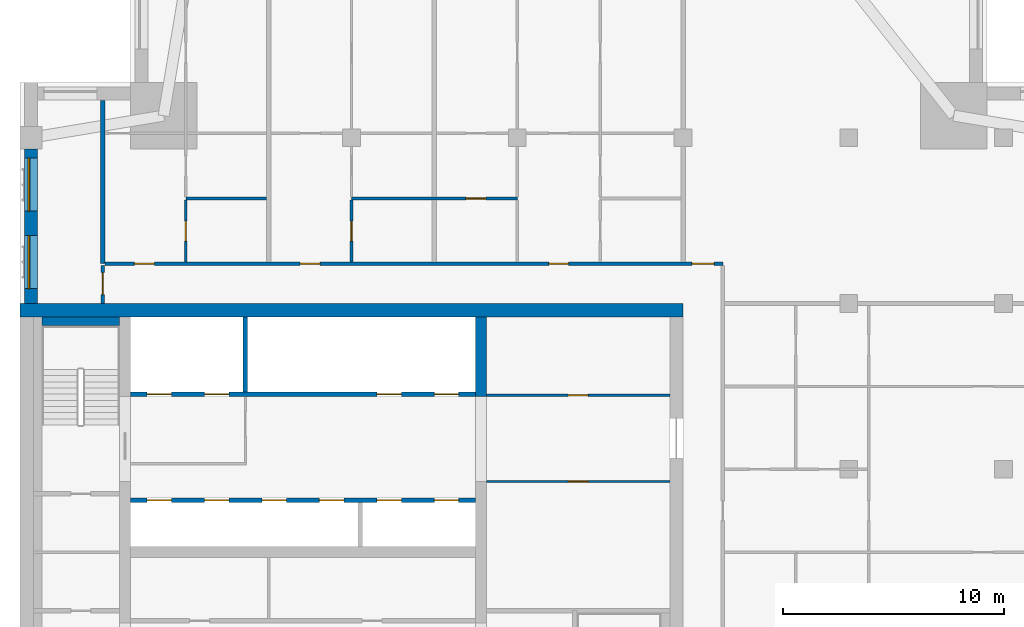
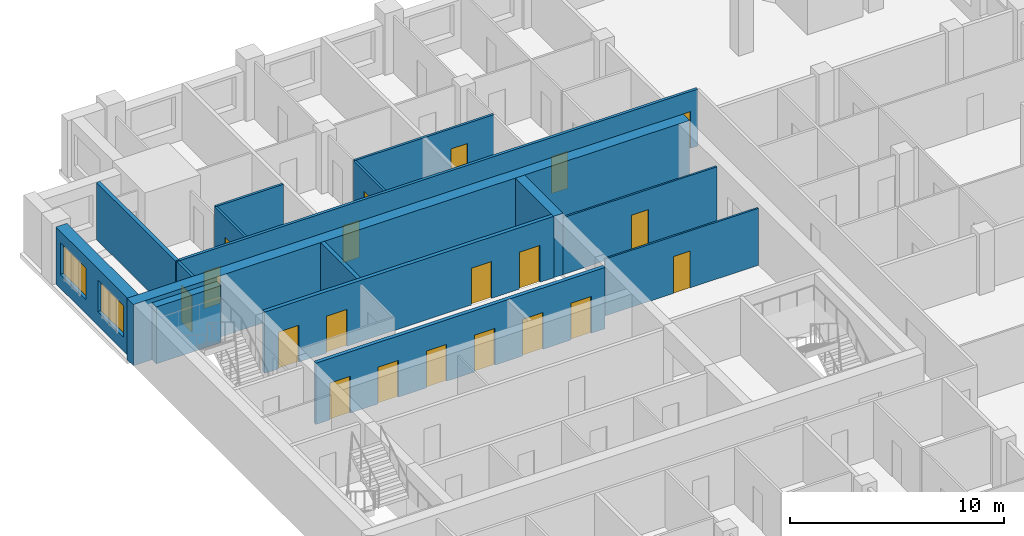
# One storey, part 6 of 11: 20 doors, 16 walls, 2 windows, 22 openings.
"""IFC4 building model written with IfcOpenShell, lengths in metres."""

from ifc_helpers import new_model, si_unit, direction, frame, frame_2d, origin, place, context, subcontext, project, spatial, rectangle, extrude, material, layer, layer_set, type_object, element, fill, save


model = new_model("IFC4")

# Units and contexts
model_context = context("Model", 3, precision=1e-05, world=origin(), true_north=direction((0.0, 1.0)))
body_context = subcontext(model_context, "Body", "Model", "MODEL_VIEW")
ifc_project = project(units=[si_unit("LENGTHUNIT", "METRE"), si_unit("AREAUNIT", "SQUARE_METRE"), si_unit("VOLUMEUNIT", "CUBIC_METRE"), si_unit("PLANEANGLEUNIT", "RADIAN"), si_unit("MASSUNIT", "GRAM", prefix="KILO")], contexts=[model_context])

# Site, building, storey
site_placement = place(None, origin())
site = spatial("IfcSite", under=ifc_project, at=site_placement, CompositionType="ELEMENT")
building_placement = place(site_placement, origin())
building = spatial("IfcBuilding", under=site, at=building_placement, Name="Tamorin Gate", CompositionType="ELEMENT")
storey_placement = place(building_placement, frame((0.0, 0.0, 230.199951171875)))
storey = spatial("IfcBuildingStorey", under=building, at=storey_placement, Name="L57", CompositionType="ELEMENT", Elevation=230.199951171875)

# Wall, openings, windows
ifc_material_1 = material(Name="Precast concrete C40/50", Category="concrete")
ifc_layer_1 = layer(ifc_material_1, 0.60009765625)
ifc_layer_set_1 = layer_set([ifc_layer_1], Name="Precast concrete C40/50")
wall_type_1 = type_object("IfcWallType", Name="Board-marked concrete facade panel 600", PredefinedType="SOLIDWALL", material=ifc_layer_set_1)
wall_1_placement = place(storey_placement, frame((30.5, 89.5, 0.0), z_axis=(0.0, 0.0, 1.0), x_axis=(0.0, -1.0, 0.0)))
wall_1 = element("IfcWall", 1, at=wall_1_placement, inside=storey, type_object=wall_type_1, Name="Facade panel", PredefinedType="SOLIDWALL", context=body_context, shape_type="SweptSolid", body=[
    extrude(rectangle(XDim=7.0, YDim=0.60009765625, at=frame_2d((3.5, 0.0))), origin(), (0.0, 0.0, 1.0), 3.25),
])
opening_1_placement = place(wall_1_placement, frame((3.925048828125, 0.0, 0.800048828125)))
opening_1 = element("IfcOpeningElement", 2, at=opening_1_placement, cuts=wall_1, Name="Opening WN1", PredefinedType="OPENING", context=body_context, shape_type="SweptSolid", body=[
    extrude(rectangle(XDim=2.39990234375, YDim=1.800048828125, at=frame_2d((1.199951171875, 0.89990234375))), frame((0.0, 0.31005859375, 0.0), z_axis=(0.0, -1.0, 0.0), x_axis=(1.0, 0.0, 0.0)), (0.0, 0.0, 1.0), 0.6201171875),
])
opening_2_placement = place(wall_1_placement, frame((0.425048828125, 0.0, 0.800048828125)))
opening_2 = element("IfcOpeningElement", 3, at=opening_2_placement, cuts=wall_1, Name="Opening WN1", PredefinedType="OPENING", context=body_context, shape_type="SweptSolid", body=[
    extrude(rectangle(XDim=2.39990234375, YDim=1.800048828125, at=frame_2d((1.199951171875, 0.89990234375))), frame((0.0, 0.31005859375, 0.0), z_axis=(0.0, -1.0, 0.0), x_axis=(1.0, 0.0, 0.0)), (0.0, 0.0, 1.0), 0.6201171875),
])
ifc_material_2 = material(Name="Clear glass in aluminium frame", Category="aluminium")
window_type = type_object("IfcWindowType", Name="Deep-set window 2400x1800", PartitioningType="SINGLE_PANEL", PredefinedType="WINDOW", material=ifc_material_2)
window_1_placement = place(opening_1_placement, origin())
window_1 = element("IfcWindow", 4, at=window_1_placement, inside=storey, type_object=window_type, Name="Deep-set window", OverallHeight=1.800048828125, OverallWidth=2.39990234375, PartitioningType="SINGLE_PANEL", PredefinedType="WINDOW", context=body_context, shape_type="SweptSolid", body=[
    extrude(rectangle(XDim=2.39990234375, YDim=1.800048828125, at=frame_2d((1.199951171875, 0.89990234375))), frame((0.0, -0.070068359375, 0.0), z_axis=(0.0, -1.0, 0.0), x_axis=(1.0, 0.0, 0.0)), (0.0, 0.0, 1.0), 0.06005859375),
])
fill(opening_1, window_1)
window_2_placement = place(opening_2_placement, origin())
window_2 = element("IfcWindow", 5, at=window_2_placement, inside=storey, type_object=window_type, Name="Deep-set window", OverallHeight=1.800048828125, OverallWidth=2.39990234375, PartitioningType="SINGLE_PANEL", PredefinedType="WINDOW", context=body_context, shape_type="SweptSolid", body=[
    extrude(rectangle(XDim=2.39990234375, YDim=1.800048828125, at=frame_2d((1.199951171875, 0.89990234375))), frame((0.0, -0.070068359375, 0.0), z_axis=(0.0, -1.0, 0.0), x_axis=(1.0, 0.0, 0.0)), (0.0, 0.0, 1.0), 0.06005859375),
])
fill(opening_2, window_2)

# Wall, openings, doors
ifc_material_3 = material(Name="Gypsum board partition")
ifc_layer_2 = layer(ifc_material_3, 0.14990234375)
ifc_layer_set_2 = layer_set([ifc_layer_2], Name="Corridor wall 150")
wall_type_2 = type_object("IfcWallType", Name="Corridor wall 150", PredefinedType="PARTITIONING", material=ifc_layer_set_2)
wall_2_placement = place(storey_placement, frame((33.85009765625, 84.300048828125, 0.0), z_axis=(0.0, 0.0, 1.0), x_axis=(1.0, 0.0, 0.0)))
wall_2 = element("IfcWall", 6, at=wall_2_placement, inside=storey, type_object=wall_type_2, Name="Corridor wall 150", PredefinedType="PARTITIONING", context=body_context, shape_type="SweptSolid", body=[
    extrude(rectangle(XDim=27.949951171875, YDim=0.14990234375, at=frame_2d((13.97509765625, 0.0))), origin(), (0.0, 0.0, 1.0), 3.25),
])
opening_3_placement = place(wall_2_placement, frame((1.324951171875, 0.0, 0.0)))
opening_3 = element("IfcOpeningElement", 7, at=opening_3_placement, cuts=wall_2, Name="Opening DR7022", PredefinedType="OPENING", context=body_context, shape_type="SweptSolid", body=[
    extrude(rectangle(XDim=0.89990234375, YDim=2.10009765625, at=frame_2d((0.449951171875, 1.050048828125))), frame((0.0, 0.0849609375, 0.0), z_axis=(0.0, -1.0, 0.0), x_axis=(1.0, 0.0, 0.0)), (0.0, 0.0, 1.0), 0.169921875),
])
opening_4_placement = place(wall_2_placement, frame((8.824951171875, 0.0, 0.0)))
opening_4 = element("IfcOpeningElement", 8, at=opening_4_placement, cuts=wall_2, Name="Opening DR7027", PredefinedType="OPENING", context=body_context, shape_type="SweptSolid", body=[
    extrude(rectangle(XDim=0.89990234375, YDim=2.10009765625, at=frame_2d((0.449951171875, 1.050048828125))), frame((0.0, 0.0849609375, 0.0), z_axis=(0.0, -1.0, 0.0), x_axis=(1.0, 0.0, 0.0)), (0.0, 0.0, 1.0), 0.169921875),
])
opening_5_placement = place(wall_2_placement, frame((20.074951171875, 0.0, 0.0)))
opening_5 = element("IfcOpeningElement", 9, at=opening_5_placement, cuts=wall_2, Name="Opening DR7034", PredefinedType="OPENING", context=body_context, shape_type="SweptSolid", body=[
    extrude(rectangle(XDim=0.89990234375, YDim=2.10009765625, at=frame_2d((0.449951171875, 1.050048828125))), frame((0.0, 0.0849609375, 0.0), z_axis=(0.0, -1.0, 0.0), x_axis=(1.0, 0.0, 0.0)), (0.0, 0.0, 1.0), 0.169921875),
])
opening_6_placement = place(wall_2_placement, frame((26.550048828125, 0.0, 0.0)))
opening_6 = element("IfcOpeningElement", 10, at=opening_6_placement, cuts=wall_2, Name="Opening DR7040", PredefinedType="OPENING", context=body_context, shape_type="SweptSolid", body=[
    extrude(rectangle(XDim=1.0, YDim=2.10009765625, at=frame_2d((0.5, 1.050048828125))), frame((0.0, 0.0849609375, 0.0), z_axis=(0.0, -1.0, 0.0), x_axis=(1.0, 0.0, 0.0)), (0.0, 0.0, 1.0), 0.169921875),
])
ifc_material_4 = material(Name="Timber door leaf", Category="wood")
door_type_1 = type_object("IfcDoorType", Name="Door 1000 x 2100 FD30S", OperationType="NOTDEFINED", PredefinedType="DOOR", material=ifc_material_4)
door_1_placement = place(opening_6_placement, origin())
door_1 = element("IfcDoor", 11, at=door_1_placement, inside=storey, type_object=door_type_1, Name="Door DR7040", OperationType="SINGLE_SWING_LEFT", OverallHeight=2.10009765625, OverallWidth=1.0, PredefinedType="DOOR", context=body_context, shape_type="SweptSolid", body=[
    extrude(rectangle(XDim=1.0, YDim=2.10009765625, at=frame_2d((0.5, 1.050048828125))), frame((0.0, 0.02490234375, 0.0), z_axis=(0.0, -1.0, 0.0), x_axis=(1.0, 0.0, 0.0)), (0.0, 0.0, 1.0), 0.050048828125),
])
fill(opening_6, door_1)
door_type_2 = type_object("IfcDoorType", Name="Door 900 x 2100 FD30S", OperationType="NOTDEFINED", PredefinedType="DOOR", material=ifc_material_4)
door_2_placement = place(opening_3_placement, origin())
door_2 = element("IfcDoor", 12, at=door_2_placement, inside=storey, type_object=door_type_2, Name="Door DR7022", OperationType="SINGLE_SWING_LEFT", OverallHeight=2.10009765625, OverallWidth=0.89990234375, PredefinedType="DOOR", context=body_context, shape_type="SweptSolid", body=[
    extrude(rectangle(XDim=0.89990234375, YDim=2.10009765625, at=frame_2d((0.449951171875, 1.050048828125))), frame((0.0, 0.02490234375, 0.0), z_axis=(0.0, -1.0, 0.0), x_axis=(1.0, 0.0, 0.0)), (0.0, 0.0, 1.0), 0.050048828125),
])
fill(opening_3, door_2)
door_3_placement = place(opening_4_placement, origin())
door_3 = element("IfcDoor", 13, at=door_3_placement, inside=storey, type_object=door_type_2, Name="Door DR7027", OperationType="SINGLE_SWING_LEFT", OverallHeight=2.10009765625, OverallWidth=0.89990234375, PredefinedType="DOOR", context=body_context, shape_type="SweptSolid", body=[
    extrude(rectangle(XDim=0.89990234375, YDim=2.10009765625, at=frame_2d((0.449951171875, 1.050048828125))), frame((0.0, 0.02490234375, 0.0), z_axis=(0.0, -1.0, 0.0), x_axis=(1.0, 0.0, 0.0)), (0.0, 0.0, 1.0), 0.050048828125),
])
fill(opening_4, door_3)
door_4_placement = place(opening_5_placement, origin())
door_4 = element("IfcDoor", 14, at=door_4_placement, inside=storey, type_object=door_type_2, Name="Door DR7034", OperationType="SINGLE_SWING_LEFT", OverallHeight=2.10009765625, OverallWidth=0.89990234375, PredefinedType="DOOR", context=body_context, shape_type="SweptSolid", body=[
    extrude(rectangle(XDim=0.89990234375, YDim=2.10009765625, at=frame_2d((0.449951171875, 1.050048828125))), frame((0.0, 0.02490234375, 0.0), z_axis=(0.0, -1.0, 0.0), x_axis=(1.0, 0.0, 0.0)), (0.0, 0.0, 1.0), 0.050048828125),
])
fill(opening_5, door_4)

# Wall, opening, door
wall_3_placement = place(storey_placement, frame((33.75, 82.5, 0.0), z_axis=(0.0, 0.0, 1.0), x_axis=(0.0, 1.0, 0.0)))
wall_3 = element("IfcWall", 15, at=wall_3_placement, inside=storey, type_object=wall_type_2, Name="Corridor wall 150", PredefinedType="PARTITIONING", context=body_context, shape_type="SweptSolid", body=[
    extrude(rectangle(XDim=1.72509765625, YDim=0.14990234375, at=frame_2d((0.862548828125, 0.0))), origin(), (0.0, 0.0, 1.0), 3.25),
])
opening_7_placement = place(wall_3_placement, frame((0.39990234375, 0.0, 0.0)))
opening_7 = element("IfcOpeningElement", 16, at=opening_7_placement, cuts=wall_3, Name="Opening DR7021", PredefinedType="OPENING", context=body_context, shape_type="SweptSolid", body=[
    extrude(rectangle(XDim=1.0, YDim=2.10009765625, at=frame_2d((0.5, 1.050048828125))), frame((0.0, 0.0849609375, 0.0), z_axis=(0.0, -1.0, 0.0), x_axis=(1.0, 0.0, 0.0)), (0.0, 0.0, 1.0), 0.169921875),
])
door_5_placement = place(opening_7_placement, origin())
door_5 = element("IfcDoor", 17, at=door_5_placement, inside=storey, type_object=door_type_1, Name="Door DR7021", OperationType="SINGLE_SWING_LEFT", OverallHeight=2.10009765625, OverallWidth=1.0, PredefinedType="DOOR", context=body_context, shape_type="SweptSolid", body=[
    extrude(rectangle(XDim=1.0, YDim=2.10009765625, at=frame_2d((0.5, 1.050048828125))), frame((0.0, 0.02490234375, 0.0), z_axis=(0.0, -1.0, 0.0), x_axis=(1.0, 0.0, 0.0)), (0.0, 0.0, 1.0), 0.050048828125),
])
fill(opening_7, door_5)

# Wall
ifc_layer_3 = layer(ifc_material_3, 0.199951171875)
ifc_layer_set_3 = layer_set([ifc_layer_3], Name="Demising wall 200")
wall_type_3 = type_object("IfcWallType", Name="Demising wall 200", PredefinedType="PARTITIONING", material=ifc_layer_set_3)
wall_4_placement = place(storey_placement, frame((33.75, 84.300048828125, 0.0), z_axis=(0.0, 0.0, 1.0), x_axis=(0.0, 1.0, 0.0)))
element("IfcWall", 18, at=wall_4_placement, inside=storey, type_object=wall_type_3, Name="Demising wall 200", PredefinedType="PARTITIONING", context=body_context, shape_type="SweptSolid", body=[
    extrude(rectangle(XDim=7.389892578125, YDim=0.199951171875, at=frame_2d((3.69482421875, 0.0))), origin(), (0.0, 0.0, 1.0), 3.25),
])

# Wall, openings, doors
ifc_material_5 = material(Name="Concrete C32/40", Category="concrete")
ifc_layer_4 = layer(ifc_material_5, 0.199951171875)
ifc_layer_set_4 = layer_set([ifc_layer_4], Name="Lift lobby face wall 200 EI 120")
wall_type_4 = type_object("IfcWallType", Name="Lift lobby face wall 200 EI 120", PredefinedType="SOLIDWALL", material=ifc_layer_set_4)
wall_5_placement = place(storey_placement, frame((35.0, 73.60009765625, 0.0), z_axis=(0.0, 0.0, 1.0), x_axis=(1.0, 0.0, 0.0)))
wall_5 = element("IfcWall", 19, at=wall_5_placement, inside=storey, type_object=wall_type_4, Name="Lift lobby face wall", PredefinedType="SOLIDWALL", context=body_context, shape_type="SweptSolid", body=[
    extrude(rectangle(XDim=15.60009765625, YDim=0.199951171875, at=frame_2d((7.800048828125, 0.0))), origin(), (0.0, 0.0, 1.0), 3.5),
])
opening_8_placement = place(wall_5_placement, frame((0.75, 0.0, 0.0)))
opening_8 = element("IfcOpeningElement", 20, at=opening_8_placement, cuts=wall_5, Name="Opening LD11", PredefinedType="OPENING", context=body_context, shape_type="SweptSolid", body=[
    extrude(rectangle(XDim=1.10009765625, YDim=2.10009765625, at=frame_2d((0.550048828125, 1.050048828125))), frame((0.0, 0.10986328125, 0.0), z_axis=(0.0, -1.0, 0.0), x_axis=(1.0, 0.0, 0.0)), (0.0, 0.0, 1.0), 0.219970703125),
])
opening_9_placement = place(wall_5_placement, frame((3.35009765625, 0.0, 0.0)))
opening_9 = element("IfcOpeningElement", 21, at=opening_9_placement, cuts=wall_5, Name="Opening LD12", PredefinedType="OPENING", context=body_context, shape_type="SweptSolid", body=[
    extrude(rectangle(XDim=1.10009765625, YDim=2.10009765625, at=frame_2d((0.550048828125, 1.050048828125))), frame((0.0, 0.10986328125, 0.0), z_axis=(0.0, -1.0, 0.0), x_axis=(1.0, 0.0, 0.0)), (0.0, 0.0, 1.0), 0.219970703125),
])
opening_10_placement = place(wall_5_placement, frame((5.949951171875, 0.0, 0.0)))
opening_10 = element("IfcOpeningElement", 22, at=opening_10_placement, cuts=wall_5, Name="Opening LD13", PredefinedType="OPENING", context=body_context, shape_type="SweptSolid", body=[
    extrude(rectangle(XDim=1.10009765625, YDim=2.10009765625, at=frame_2d((0.550048828125, 1.050048828125))), frame((0.0, 0.10986328125, 0.0), z_axis=(0.0, -1.0, 0.0), x_axis=(1.0, 0.0, 0.0)), (0.0, 0.0, 1.0), 0.219970703125),
])
opening_11_placement = place(wall_5_placement, frame((8.550048828125, 0.0, 0.0)))
opening_11 = element("IfcOpeningElement", 23, at=opening_11_placement, cuts=wall_5, Name="Opening LD14", PredefinedType="OPENING", context=body_context, shape_type="SweptSolid", body=[
    extrude(rectangle(XDim=1.10009765625, YDim=2.10009765625, at=frame_2d((0.550048828125, 1.050048828125))), frame((0.0, 0.10986328125, 0.0), z_axis=(0.0, -1.0, 0.0), x_axis=(1.0, 0.0, 0.0)), (0.0, 0.0, 1.0), 0.219970703125),
])
opening_12_placement = place(wall_5_placement, frame((11.14990234375, 0.0, 0.0)))
opening_12 = element("IfcOpeningElement", 24, at=opening_12_placement, cuts=wall_5, Name="Opening LD15", PredefinedType="OPENING", context=body_context, shape_type="SweptSolid", body=[
    extrude(rectangle(XDim=1.10009765625, YDim=2.10009765625, at=frame_2d((0.550048828125, 1.050048828125))), frame((0.0, 0.10986328125, 0.0), z_axis=(0.0, -1.0, 0.0), x_axis=(1.0, 0.0, 0.0)), (0.0, 0.0, 1.0), 0.219970703125),
])
opening_13_placement = place(wall_5_placement, frame((13.75, 0.0, 0.0)))
opening_13 = element("IfcOpeningElement", 25, at=opening_13_placement, cuts=wall_5, Name="Opening LD16", PredefinedType="OPENING", context=body_context, shape_type="SweptSolid", body=[
    extrude(rectangle(XDim=1.10009765625, YDim=2.10009765625, at=frame_2d((0.550048828125, 1.050048828125))), frame((0.0, 0.10986328125, 0.0), z_axis=(0.0, -1.0, 0.0), x_axis=(1.0, 0.0, 0.0)), (0.0, 0.0, 1.0), 0.219970703125),
])
ifc_material_6 = material(Name="Stainless steel sliding door", Category="steel")
door_type_3 = type_object("IfcDoorType", Name="Lift landing door 1100 x 2100 E 90", OperationType="DOUBLE_DOOR_SLIDING", PredefinedType="DOOR", material=ifc_material_6)
door_6_placement = place(opening_8_placement, origin())
door_6 = element("IfcDoor", 26, at=door_6_placement, inside=storey, type_object=door_type_3, Name="HR1 landing door", OperationType="DOUBLE_DOOR_SLIDING", OverallHeight=2.10009765625, OverallWidth=1.10009765625, PredefinedType="DOOR", context=body_context, shape_type="SweptSolid", body=[
    extrude(rectangle(XDim=1.10009765625, YDim=2.10009765625, at=frame_2d((0.550048828125, 1.050048828125))), frame((0.0, 0.02490234375, 0.0), z_axis=(0.0, -1.0, 0.0), x_axis=(1.0, 0.0, 0.0)), (0.0, 0.0, 1.0), 0.050048828125),
])
fill(opening_8, door_6)
door_7_placement = place(opening_9_placement, origin())
door_7 = element("IfcDoor", 27, at=door_7_placement, inside=storey, type_object=door_type_3, Name="HR2 landing door", OperationType="DOUBLE_DOOR_SLIDING", OverallHeight=2.10009765625, OverallWidth=1.10009765625, PredefinedType="DOOR", context=body_context, shape_type="SweptSolid", body=[
    extrude(rectangle(XDim=1.10009765625, YDim=2.10009765625, at=frame_2d((0.550048828125, 1.050048828125))), frame((0.0, 0.02490234375, 0.0), z_axis=(0.0, -1.0, 0.0), x_axis=(1.0, 0.0, 0.0)), (0.0, 0.0, 1.0), 0.050048828125),
])
fill(opening_9, door_7)
door_8_placement = place(opening_10_placement, origin())
door_8 = element("IfcDoor", 28, at=door_8_placement, inside=storey, type_object=door_type_3, Name="HR3 landing door", OperationType="DOUBLE_DOOR_SLIDING", OverallHeight=2.10009765625, OverallWidth=1.10009765625, PredefinedType="DOOR", context=body_context, shape_type="SweptSolid", body=[
    extrude(rectangle(XDim=1.10009765625, YDim=2.10009765625, at=frame_2d((0.550048828125, 1.050048828125))), frame((0.0, 0.02490234375, 0.0), z_axis=(0.0, -1.0, 0.0), x_axis=(1.0, 0.0, 0.0)), (0.0, 0.0, 1.0), 0.050048828125),
])
fill(opening_10, door_8)
door_9_placement = place(opening_11_placement, origin())
door_9 = element("IfcDoor", 29, at=door_9_placement, inside=storey, type_object=door_type_3, Name="HR4 landing door", OperationType="DOUBLE_DOOR_SLIDING", OverallHeight=2.10009765625, OverallWidth=1.10009765625, PredefinedType="DOOR", context=body_context, shape_type="SweptSolid", body=[
    extrude(rectangle(XDim=1.10009765625, YDim=2.10009765625, at=frame_2d((0.550048828125, 1.050048828125))), frame((0.0, 0.02490234375, 0.0), z_axis=(0.0, -1.0, 0.0), x_axis=(1.0, 0.0, 0.0)), (0.0, 0.0, 1.0), 0.050048828125),
])
fill(opening_11, door_9)
door_10_placement = place(opening_12_placement, origin())
door_10 = element("IfcDoor", 30, at=door_10_placement, inside=storey, type_object=door_type_3, Name="HR5 landing door", OperationType="DOUBLE_DOOR_SLIDING", OverallHeight=2.10009765625, OverallWidth=1.10009765625, PredefinedType="DOOR", context=body_context, shape_type="SweptSolid", body=[
    extrude(rectangle(XDim=1.10009765625, YDim=2.10009765625, at=frame_2d((0.550048828125, 1.050048828125))), frame((0.0, 0.02490234375, 0.0), z_axis=(0.0, -1.0, 0.0), x_axis=(1.0, 0.0, 0.0)), (0.0, 0.0, 1.0), 0.050048828125),
])
fill(opening_12, door_10)
door_11_placement = place(opening_13_placement, origin())
door_11 = element("IfcDoor", 31, at=door_11_placement, inside=storey, type_object=door_type_3, Name="HR6 landing door", OperationType="DOUBLE_DOOR_SLIDING", OverallHeight=2.10009765625, OverallWidth=1.10009765625, PredefinedType="DOOR", context=body_context, shape_type="SweptSolid", body=[
    extrude(rectangle(XDim=1.10009765625, YDim=2.10009765625, at=frame_2d((0.550048828125, 1.050048828125))), frame((0.0, 0.02490234375, 0.0), z_axis=(0.0, -1.0, 0.0), x_axis=(1.0, 0.0, 0.0)), (0.0, 0.0, 1.0), 0.050048828125),
])
fill(opening_13, door_11)

wall_6_placement = place(storey_placement, frame((35.0, 78.39990234375, 0.0), z_axis=(0.0, 0.0, 1.0), x_axis=(1.0, 0.0, 0.0)))
wall_6 = element("IfcWall", 32, at=wall_6_placement, inside=storey, type_object=wall_type_4, Name="Lift lobby face wall", PredefinedType="SOLIDWALL", context=body_context, shape_type="SweptSolid", body=[
    extrude(rectangle(XDim=15.60009765625, YDim=0.199951171875, at=frame_2d((7.800048828125, 0.0))), origin(), (0.0, 0.0, 1.0), 3.5),
])
opening_14_placement = place(wall_6_placement, frame((0.75, 0.0, 0.0)))
opening_14 = element("IfcOpeningElement", 33, at=opening_14_placement, cuts=wall_6, Name="Opening LD17", PredefinedType="OPENING", context=body_context, shape_type="SweptSolid", body=[
    extrude(rectangle(XDim=1.10009765625, YDim=2.10009765625, at=frame_2d((0.550048828125, 1.050048828125))), frame((0.0, 0.10986328125, 0.0), z_axis=(0.0, -1.0, 0.0), x_axis=(1.0, 0.0, 0.0)), (0.0, 0.0, 1.0), 0.219970703125),
])
opening_15_placement = place(wall_6_placement, frame((3.35009765625, 0.0, 0.0)))
opening_15 = element("IfcOpeningElement", 34, at=opening_15_placement, cuts=wall_6, Name="Opening LD18", PredefinedType="OPENING", context=body_context, shape_type="SweptSolid", body=[
    extrude(rectangle(XDim=1.10009765625, YDim=2.10009765625, at=frame_2d((0.550048828125, 1.050048828125))), frame((0.0, 0.10986328125, 0.0), z_axis=(0.0, -1.0, 0.0), x_axis=(1.0, 0.0, 0.0)), (0.0, 0.0, 1.0), 0.219970703125),
])
opening_16_placement = place(wall_6_placement, frame((11.14990234375, 0.0, 0.0)))
opening_16 = element("IfcOpeningElement", 35, at=opening_16_placement, cuts=wall_6, Name="Opening LD21", PredefinedType="OPENING", context=body_context, shape_type="SweptSolid", body=[
    extrude(rectangle(XDim=1.10009765625, YDim=2.10009765625, at=frame_2d((0.550048828125, 1.050048828125))), frame((0.0, 0.10986328125, 0.0), z_axis=(0.0, -1.0, 0.0), x_axis=(1.0, 0.0, 0.0)), (0.0, 0.0, 1.0), 0.219970703125),
])
opening_17_placement = place(wall_6_placement, frame((13.75, 0.0, 0.0)))
opening_17 = element("IfcOpeningElement", 36, at=opening_17_placement, cuts=wall_6, Name="Opening LD22", PredefinedType="OPENING", context=body_context, shape_type="SweptSolid", body=[
    extrude(rectangle(XDim=1.10009765625, YDim=2.10009765625, at=frame_2d((0.550048828125, 1.050048828125))), frame((0.0, 0.10986328125, 0.0), z_axis=(0.0, -1.0, 0.0), x_axis=(1.0, 0.0, 0.0)), (0.0, 0.0, 1.0), 0.219970703125),
])
door_12_placement = place(opening_14_placement, origin())
door_12 = element("IfcDoor", 37, at=door_12_placement, inside=storey, type_object=door_type_3, Name="FF1 landing door", OperationType="DOUBLE_DOOR_SLIDING", OverallHeight=2.10009765625, OverallWidth=1.10009765625, PredefinedType="DOOR", context=body_context, shape_type="SweptSolid", body=[
    extrude(rectangle(XDim=1.10009765625, YDim=2.10009765625, at=frame_2d((0.550048828125, 1.050048828125))), frame((0.0, 0.02490234375, 0.0), z_axis=(0.0, -1.0, 0.0), x_axis=(1.0, 0.0, 0.0)), (0.0, 0.0, 1.0), 0.050048828125),
])
fill(opening_14, door_12)
door_13_placement = place(opening_15_placement, origin())
door_13 = element("IfcDoor", 38, at=door_13_placement, inside=storey, type_object=door_type_3, Name="FF2 landing door", OperationType="DOUBLE_DOOR_SLIDING", OverallHeight=2.10009765625, OverallWidth=1.10009765625, PredefinedType="DOOR", context=body_context, shape_type="SweptSolid", body=[
    extrude(rectangle(XDim=1.10009765625, YDim=2.10009765625, at=frame_2d((0.550048828125, 1.050048828125))), frame((0.0, 0.02490234375, 0.0), z_axis=(0.0, -1.0, 0.0), x_axis=(1.0, 0.0, 0.0)), (0.0, 0.0, 1.0), 0.050048828125),
])
fill(opening_15, door_13)
door_14_placement = place(opening_16_placement, origin())
door_14 = element("IfcDoor", 39, at=door_14_placement, inside=storey, type_object=door_type_3, Name="SV1 landing door", OperationType="DOUBLE_DOOR_SLIDING", OverallHeight=2.10009765625, OverallWidth=1.10009765625, PredefinedType="DOOR", context=body_context, shape_type="SweptSolid", body=[
    extrude(rectangle(XDim=1.10009765625, YDim=2.10009765625, at=frame_2d((0.550048828125, 1.050048828125))), frame((0.0, 0.02490234375, 0.0), z_axis=(0.0, -1.0, 0.0), x_axis=(1.0, 0.0, 0.0)), (0.0, 0.0, 1.0), 0.050048828125),
])
fill(opening_16, door_14)
door_15_placement = place(opening_17_placement, origin())
door_15 = element("IfcDoor", 40, at=door_15_placement, inside=storey, type_object=door_type_3, Name="SV2 landing door", OperationType="DOUBLE_DOOR_SLIDING", OverallHeight=2.10009765625, OverallWidth=1.10009765625, PredefinedType="DOOR", context=body_context, shape_type="SweptSolid", body=[
    extrude(rectangle(XDim=1.10009765625, YDim=2.10009765625, at=frame_2d((0.550048828125, 1.050048828125))), frame((0.0, 0.02490234375, 0.0), z_axis=(0.0, -1.0, 0.0), x_axis=(1.0, 0.0, 0.0)), (0.0, 0.0, 1.0), 0.050048828125),
])
fill(opening_17, door_15)

# Walls
ifc_layer_5 = layer(ifc_material_5, 0.199951171875)
ifc_layer_set_5 = layer_set([ifc_layer_5], Name="Lift shaft wall 200 EI 120")
wall_type_5 = type_object("IfcWallType", Name="Lift shaft wall 200 EI 120", PredefinedType="SOLIDWALL", material=ifc_layer_set_5)
wall_7_placement = place(storey_placement, frame((40.199951171875, 78.5, 0.0), z_axis=(0.0, 0.0, 1.0), x_axis=(0.0, 1.0, 0.0)))
element("IfcWall", 41, at=wall_7_placement, inside=storey, type_object=wall_type_5, Name="Lift shaft wall", PredefinedType="SOLIDWALL", context=body_context, shape_type="SweptSolid", body=[
    extrude(rectangle(XDim=3.39990234375, YDim=0.199951171875, at=frame_2d((1.699951171875, 0.0))), origin(), (0.0, 0.0, 1.0), 3.5),
])
ifc_material_7 = material(Name="Concrete C50/60", Category="concrete")
ifc_layer_6 = layer(ifc_material_7, 0.5)
ifc_layer_set_6 = layer_set([ifc_layer_6], Name="RC core internal wall 500 C50/60")
wall_type_6 = type_object("IfcWallType", Name="RC core internal wall 500 C50/60", PredefinedType="SHEAR", material=ifc_layer_set_6)
wall_8_placement = place(storey_placement, frame((50.85009765625, 78.300048828125, 0.0), z_axis=(0.0, 0.0, 1.0), x_axis=(0.0, 1.0, 0.0)))
element("IfcWall", 42, at=wall_8_placement, inside=storey, type_object=wall_type_6, Name="Core cross wall L57", PredefinedType="SHEAR", context=body_context, shape_type="SweptSolid", body=[
    extrude(rectangle(XDim=3.599853515625, YDim=0.5, at=frame_2d((1.7998046875, 0.0))), origin(), (0.0, 0.0, 1.0), 3.5),
])
ifc_layer_7 = layer(ifc_material_7, 0.60009765625)
ifc_layer_set_7 = layer_set([ifc_layer_7], Name="RC core wall 600 C50/60")
wall_type_7 = type_object("IfcWallType", Name="RC core wall 600 C50/60", PredefinedType="SHEAR", material=ifc_layer_set_7)
wall_9_placement = place(storey_placement, frame((30.0, 82.199951171875, 0.0), z_axis=(0.0, 0.0, 1.0), x_axis=(1.0, 0.0, 0.0)))
element("IfcWall", 43, at=wall_9_placement, inside=storey, type_object=wall_type_7, Name="Core wall L57", PredefinedType="SHEAR", context=body_context, shape_type="SweptSolid", body=[
    extrude(rectangle(XDim=30.0, YDim=0.60009765625, at=frame_2d((15.0, 0.0))), origin(), (0.0, 0.0, 1.0), 3.5),
])

# Wall, opening, door
ifc_layer_8 = layer(ifc_material_3, 0.10009765625)
ifc_layer_set_8 = layer_set([ifc_layer_8], Name="Service room partition 100 EI 60")
wall_type_8 = type_object("IfcWallType", Name="Service room partition 100 EI 60", PredefinedType="PARTITIONING", material=ifc_layer_set_8)
wall_10_placement = place(storey_placement, frame((51.10009765625, 74.449951171875, 0.0), z_axis=(0.0, 0.0, 1.0), x_axis=(1.0, 0.0, 0.0)))
wall_10 = element("IfcWall", 44, at=wall_10_placement, inside=storey, type_object=wall_type_8, Name="Service room wall", PredefinedType="PARTITIONING", context=body_context, shape_type="SweptSolid", body=[
    extrude(rectangle(XDim=8.2998046875, YDim=0.10009765625, at=frame_2d((4.14990234375, 0.0))), origin(), (0.0, 0.0, 1.0), 3.25),
])
opening_18_placement = place(wall_10_placement, frame((3.699951171875, 0.0, 0.0)))
opening_18 = element("IfcOpeningElement", 45, at=opening_18_placement, cuts=wall_10, Name="Opening DR1", PredefinedType="OPENING", context=body_context, shape_type="SweptSolid", body=[
    extrude(rectangle(XDim=0.89990234375, YDim=2.10009765625, at=frame_2d((0.449951171875, 1.050048828125))), frame((0.0, 0.06005859375, 0.0), z_axis=(0.0, -1.0, 0.0), x_axis=(1.0, 0.0, 0.0)), (0.0, 0.0, 1.0), 0.1201171875),
])
ifc_material_8 = material(Name="Steel fire door", Category="steel")
door_type_4 = type_object("IfcDoorType", Name="Riser access door 900 x 2100 EI 120", OperationType="SINGLE_SWING_LEFT", PredefinedType="DOOR", material=ifc_material_8)
door_16_placement = place(opening_18_placement, origin())
door_16 = element("IfcDoor", 46, at=door_16_placement, inside=storey, type_object=door_type_4, Name="Duct riser door", OperationType="SINGLE_SWING_LEFT", OverallHeight=2.10009765625, OverallWidth=0.89990234375, PredefinedType="DOOR", context=body_context, shape_type="SweptSolid", body=[
    extrude(rectangle(XDim=0.89990234375, YDim=2.10009765625, at=frame_2d((0.449951171875, 1.050048828125))), frame((0.0, 0.02490234375, 0.0), z_axis=(0.0, -1.0, 0.0), x_axis=(1.0, 0.0, 0.0)), (0.0, 0.0, 1.0), 0.050048828125),
])
fill(opening_18, door_16)

wall_11_placement = place(storey_placement, frame((51.10009765625, 78.35009765625, 0.0), z_axis=(0.0, 0.0, 1.0), x_axis=(1.0, 0.0, 0.0)))
wall_11 = element("IfcWall", 47, at=wall_11_placement, inside=storey, type_object=wall_type_8, Name="Service room wall", PredefinedType="PARTITIONING", context=body_context, shape_type="SweptSolid", body=[
    extrude(rectangle(XDim=8.2998046875, YDim=0.10009765625, at=frame_2d((4.14990234375, 0.0))), origin(), (0.0, 0.0, 1.0), 3.25),
])
opening_19_placement = place(wall_11_placement, frame((3.699951171875, 0.0, 0.0)))
opening_19 = element("IfcOpeningElement", 48, at=opening_19_placement, cuts=wall_11, Name="Opening DK1", PredefinedType="OPENING", context=body_context, shape_type="SweptSolid", body=[
    extrude(rectangle(XDim=0.89990234375, YDim=2.10009765625, at=frame_2d((0.449951171875, 1.050048828125))), frame((0.0, 0.06005859375, 0.0), z_axis=(0.0, -1.0, 0.0), x_axis=(1.0, 0.0, 0.0)), (0.0, 0.0, 1.0), 0.1201171875),
])
ifc_material_9 = material(Name="Timber fire door", Category="wood")
door_type_5 = type_object("IfcDoorType", Name="Service room door 900 x 2100 EI 60", OperationType="SINGLE_SWING_LEFT", PredefinedType="DOOR", material=ifc_material_9)
door_17_placement = place(opening_19_placement, origin())
door_17 = element("IfcDoor", 49, at=door_17_placement, inside=storey, type_object=door_type_5, Name="Door Linen store", OperationType="SINGLE_SWING_LEFT", OverallHeight=2.10009765625, OverallWidth=0.89990234375, PredefinedType="DOOR", context=body_context, shape_type="SweptSolid", body=[
    extrude(rectangle(XDim=0.89990234375, YDim=2.10009765625, at=frame_2d((0.449951171875, 1.050048828125))), frame((0.0, 0.02490234375, 0.0), z_axis=(0.0, -1.0, 0.0), x_axis=(1.0, 0.0, 0.0)), (0.0, 0.0, 1.0), 0.050048828125),
])
fill(opening_19, door_17)

# Walls
ifc_layer_9 = layer(ifc_material_7, 0.39990234375)
ifc_layer_set_9 = layer_set([ifc_layer_9], Name="Stair lining wall 400 EI 120 C50/60")
wall_type_9 = type_object("IfcWallType", Name="Stair lining wall 400 EI 120 C50/60", PredefinedType="SOLIDWALL", material=ifc_layer_set_9)
wall_12_placement = place(storey_placement, frame((31.0, 81.699951171875, 0.0), z_axis=(0.0, 0.0, 1.0), x_axis=(1.0, 0.0, 0.0)))
element("IfcWall", 50, at=wall_12_placement, inside=storey, type_object=wall_type_9, Name="Stair lining wall", PredefinedType="SOLIDWALL", context=body_context, shape_type="SweptSolid", body=[
    extrude(rectangle(XDim=3.5, YDim=0.39990234375, at=frame_2d((1.75, 0.0))), origin(), (0.0, 0.0, 1.0), 3.25),
])
ifc_layer_10 = layer(ifc_material_3, 0.125)
ifc_layer_set_10 = layer_set([ifc_layer_10], Name="Wet wall 125")
wall_type_10 = type_object("IfcWallType", Name="Wet wall 125", PredefinedType="PARTITIONING", material=ifc_layer_set_10)
wall_13_placement = place(storey_placement, frame((37.5, 87.25, 0.0), z_axis=(0.0, 0.0, 1.0), x_axis=(1.0, 0.0, 0.0)))
element("IfcWall", 51, at=wall_13_placement, inside=storey, type_object=wall_type_10, Name="Wet wall 125", PredefinedType="PARTITIONING", context=body_context, shape_type="SweptSolid", body=[
    extrude(rectangle(XDim=3.64990234375, YDim=0.125, at=frame_2d((1.824951171875, 0.0))), origin(), (0.0, 0.0, 1.0), 3.25),
])

# Wall, opening, door
wall_14_placement = place(storey_placement, frame((45.0, 87.25, 0.0), z_axis=(0.0, 0.0, 1.0), x_axis=(1.0, 0.0, 0.0)))
wall_14 = element("IfcWall", 52, at=wall_14_placement, inside=storey, type_object=wall_type_10, Name="Wet wall 125", PredefinedType="PARTITIONING", context=body_context, shape_type="SweptSolid", body=[
    extrude(rectangle(XDim=7.5, YDim=0.125, at=frame_2d((3.75, 0.0))), origin(), (0.0, 0.0, 1.0), 3.25),
])
opening_20_placement = place(wall_14_placement, frame((5.175048828125, 0.0, 0.0)))
opening_20 = element("IfcOpeningElement", 53, at=opening_20_placement, cuts=wall_14, Name="Opening DR7033", PredefinedType="OPENING", context=body_context, shape_type="SweptSolid", body=[
    extrude(rectangle(XDim=0.89990234375, YDim=2.10009765625, at=frame_2d((0.449951171875, 1.050048828125))), frame((0.0, 0.072509765625, 0.0), z_axis=(0.0, -1.0, 0.0), x_axis=(1.0, 0.0, 0.0)), (0.0, 0.0, 1.0), 0.14501953125),
])
door_type_6 = type_object("IfcDoorType", Name="Door 900 x 2100", OperationType="NOTDEFINED", PredefinedType="DOOR", material=ifc_material_4)
door_18_placement = place(opening_20_placement, origin())
door_18 = element("IfcDoor", 54, at=door_18_placement, inside=storey, type_object=door_type_6, Name="Door DR7033", OperationType="SINGLE_SWING_RIGHT", OverallHeight=2.10009765625, OverallWidth=0.89990234375, PredefinedType="DOOR", context=body_context, shape_type="SweptSolid", body=[
    extrude(rectangle(XDim=0.89990234375, YDim=2.10009765625, at=frame_2d((0.449951171875, 1.050048828125))), frame((0.0, 0.02490234375, 0.0), z_axis=(0.0, -1.0, 0.0), x_axis=(1.0, 0.0, 0.0)), (0.0, 0.0, 1.0), 0.050048828125),
])
fill(opening_20, door_18)

wall_15_placement = place(storey_placement, frame((37.5, 84.375, 0.0), z_axis=(0.0, 0.0, 1.0), x_axis=(0.0, 1.0, 0.0)))
wall_15 = element("IfcWall", 55, at=wall_15_placement, inside=storey, type_object=wall_type_10, Name="Wet wall 125", PredefinedType="PARTITIONING", context=body_context, shape_type="SweptSolid", body=[
    extrude(rectangle(XDim=2.8125, YDim=0.125, at=frame_2d((1.40625, 0.0))), origin(), (0.0, 0.0, 1.0), 3.25),
])
opening_21_placement = place(wall_15_placement, frame((0.949951171875, 0.0, 0.0)))
opening_21 = element("IfcOpeningElement", 56, at=opening_21_placement, cuts=wall_15, Name="Opening DR7025", PredefinedType="OPENING", context=body_context, shape_type="SweptSolid", body=[
    extrude(rectangle(XDim=0.89990234375, YDim=2.10009765625, at=frame_2d((0.449951171875, 1.050048828125))), frame((0.0, 0.072509765625, 0.0), z_axis=(0.0, -1.0, 0.0), x_axis=(1.0, 0.0, 0.0)), (0.0, 0.0, 1.0), 0.14501953125),
])
door_19_placement = place(opening_21_placement, origin())
door_19 = element("IfcDoor", 57, at=door_19_placement, inside=storey, type_object=door_type_6, Name="Door DR7025", OperationType="SINGLE_SWING_RIGHT", OverallHeight=2.10009765625, OverallWidth=0.89990234375, PredefinedType="DOOR", context=body_context, shape_type="SweptSolid", body=[
    extrude(rectangle(XDim=0.89990234375, YDim=2.10009765625, at=frame_2d((0.449951171875, 1.050048828125))), frame((0.0, 0.02490234375, 0.0), z_axis=(0.0, -1.0, 0.0), x_axis=(1.0, 0.0, 0.0)), (0.0, 0.0, 1.0), 0.050048828125),
])
fill(opening_21, door_19)

wall_16_placement = place(storey_placement, frame((45.0, 84.375, 0.0), z_axis=(0.0, 0.0, 1.0), x_axis=(0.0, 1.0, 0.0)))
wall_16 = element("IfcWall", 58, at=wall_16_placement, inside=storey, type_object=wall_type_10, Name="Wet wall 125", PredefinedType="PARTITIONING", context=body_context, shape_type="SweptSolid", body=[
    extrude(rectangle(XDim=2.8125, YDim=0.125, at=frame_2d((1.40625, 0.0))), origin(), (0.0, 0.0, 1.0), 3.25),
])
opening_22_placement = place(wall_16_placement, frame((0.949951171875, 0.0, 0.0)))
opening_22 = element("IfcOpeningElement", 59, at=opening_22_placement, cuts=wall_16, Name="Opening DR7030", PredefinedType="OPENING", context=body_context, shape_type="SweptSolid", body=[
    extrude(rectangle(XDim=0.89990234375, YDim=2.10009765625, at=frame_2d((0.449951171875, 1.050048828125))), frame((0.0, 0.072509765625, 0.0), z_axis=(0.0, -1.0, 0.0), x_axis=(1.0, 0.0, 0.0)), (0.0, 0.0, 1.0), 0.14501953125),
])
door_20_placement = place(opening_22_placement, origin())
door_20 = element("IfcDoor", 60, at=door_20_placement, inside=storey, type_object=door_type_6, Name="Door DR7030", OperationType="SINGLE_SWING_RIGHT", OverallHeight=2.10009765625, OverallWidth=0.89990234375, PredefinedType="DOOR", context=body_context, shape_type="SweptSolid", body=[
    extrude(rectangle(XDim=0.89990234375, YDim=2.10009765625, at=frame_2d((0.449951171875, 1.050048828125))), frame((0.0, 0.02490234375, 0.0), z_axis=(0.0, -1.0, 0.0), x_axis=(1.0, 0.0, 0.0)), (0.0, 0.0, 1.0), 0.050048828125),
])
fill(opening_22, door_20)

save(model, "model.ifc")
